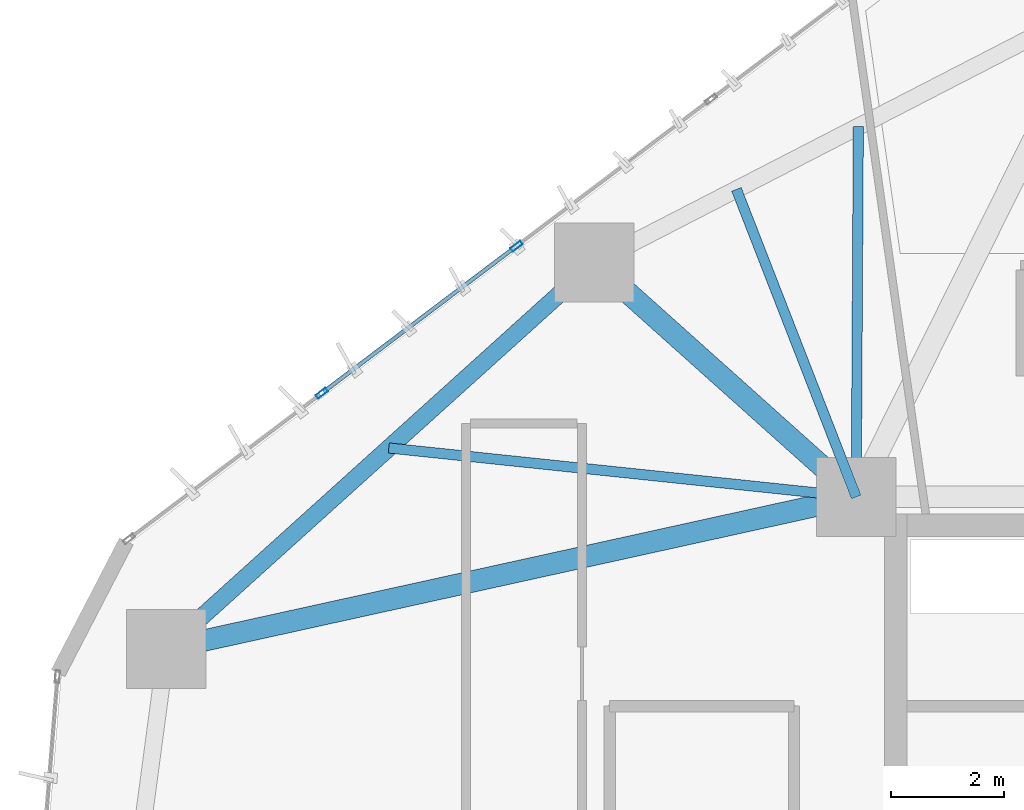
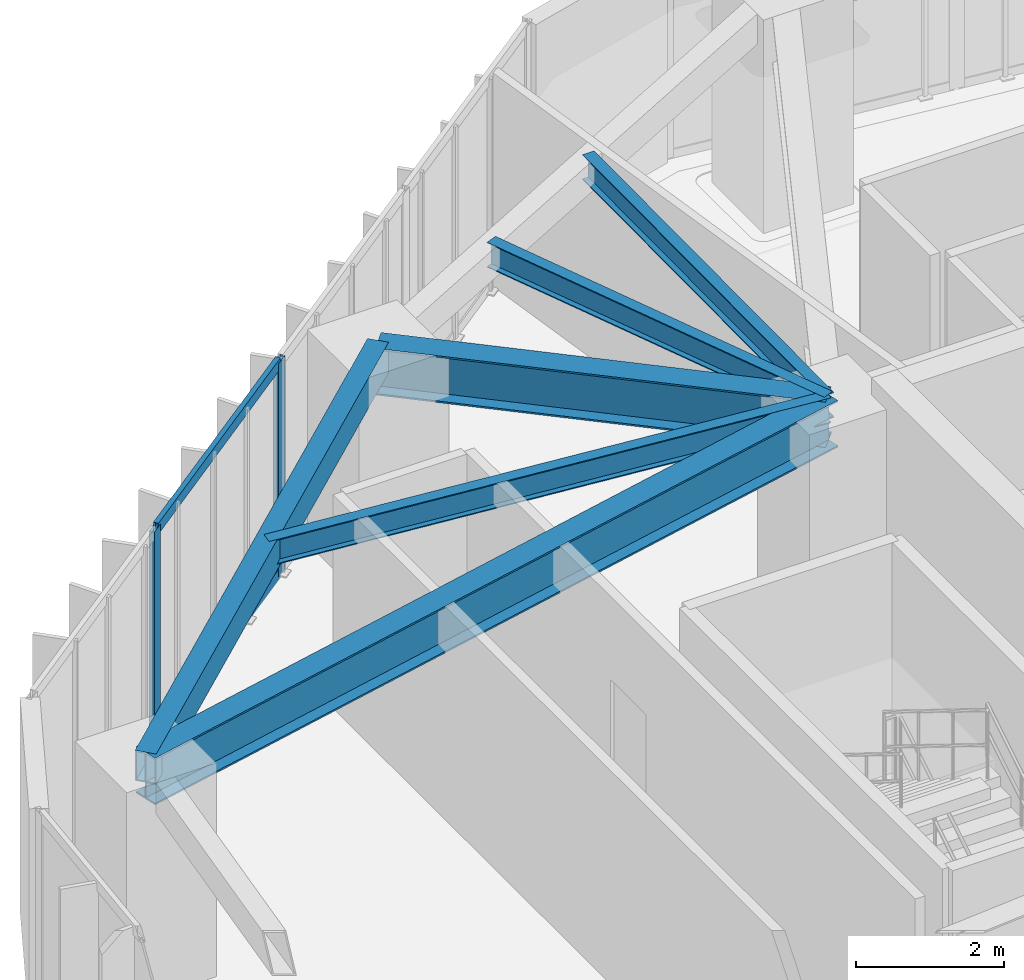
# One storey, part 7 of 23: 6 beams, 4 members, 1 element without a shape of its own.
"""IFC4 building model written with IfcOpenShell, lengths in metres."""

from ifc_helpers import new_model, si_unit, direction, frame, origin, origin_2d, place, context, subcontext, project, spatial, hollow_rectangle, i_section, extrude, source, transform, mapped, material, layer, layer_set, material_profile, profile_set, type_object, type_shapes, element, aggregate, save


model = new_model("IFC4")

# Units and contexts
model_context = context("Model", 3, precision=1e-05, world=origin(), true_north=direction((0.0, 1.0)))
body_context = subcontext(model_context, "Body", "Model", "MODEL_VIEW")
ifc_project = project(units=[si_unit("LENGTHUNIT", "METRE"), si_unit("AREAUNIT", "SQUARE_METRE"), si_unit("VOLUMEUNIT", "CUBIC_METRE"), si_unit("PLANEANGLEUNIT", "RADIAN"), si_unit("MASSUNIT", "GRAM", prefix="KILO")], contexts=[model_context])

# Site, building, storey
site_placement = place(None, origin())
site = spatial("IfcSite", under=ifc_project, at=site_placement, CompositionType="ELEMENT")
building_placement = place(site_placement, origin())
building = spatial("IfcBuilding", under=site, at=building_placement, Name="Talar Marvaseh", CompositionType="ELEMENT")
storey_placement = place(building_placement, frame((0.0, 0.0, 69.60009765625)))
storey = spatial("IfcBuildingStorey", under=building, at=storey_placement, Name="L17", CompositionType="ELEMENT", Elevation=69.60009765625)

# Beams
ifc_material_1 = material(Name="Steel S355", Category="steel")
ifc_material_profile_1 = material_profile(ifc_material_1, hollow_rectangle(XDim=0.300048828125, YDim=0.5, WallThickness=0.02001953125, at=origin_2d()), Name="RHS500x300x20")
ifc_profile_set_1 = profile_set([ifc_material_profile_1], Name="Steel S355")
beam_type_1 = type_object("IfcBeamType", Name="Zone 1 Perimeter Spandrel Beam RHS500x300x20", PredefinedType="SPANDREL", material=ifc_profile_set_1)
beam_1_placement = place(storey_placement, frame((6.501953125, 34.214111328125, 3.27001953125), z_axis=(0.742394279812, 0.669963232799, 0.0), x_axis=(-0.669963232799, 0.742394279812, 0.0)))
element("IfcBeam", 1, at=beam_1_placement, inside=storey, type_object=beam_type_1, Name="L17 Zone 1 Perimeter Spandrel Beam RHS500x300x20", PredefinedType="SPANDREL", context=body_context, shape_type="SweptSolid", body=[
    extrude(hollow_rectangle(XDim=0.300048828125, YDim=0.5, WallThickness=0.02001953125, at=origin_2d()), origin(), (0.0, 0.0, 1.0), 10.19287109375),
])
ifc_material_profile_2 = material_profile(ifc_material_1, i_section(OverallWidth=0.381103515625, OverallDepth=0.77294921875, WebThickness=0.0166015625, FlangeThickness=0.027099609375, at=origin_2d()), Name="W760x257")
ifc_profile_set_2 = profile_set([ifc_material_profile_2], Name="Steel S355")
beam_type_2 = type_object("IfcBeamType", Name="Zone 1 Radial Floor Girder W760x257", PredefinedType="BEAM", material=ifc_profile_set_2)
beam_2_placement = place(storey_placement, frame((6.501953125, 34.214111328125, 3.13330078125), z_axis=(0.976606962034, 0.215032187606, 0.0), x_axis=(-0.215032187606, 0.976606962034, 0.0)))
element("IfcBeam", 2, at=beam_2_placement, inside=storey, type_object=beam_type_2, Name="L17 Zone 1 Radial Floor Girder W760x257", PredefinedType="BEAM", context=body_context, shape_type="SweptSolid", body=[
    extrude(i_section(OverallWidth=0.381103515625, OverallDepth=0.77294921875, WebThickness=0.0166015625, FlangeThickness=0.027099609375, at=origin_2d()), origin(), (0.0, 0.0, 1.0), 12.490234375),
])
beam_3_placement = place(storey_placement, frame((14.069091796875, 41.04296875, 3.13330078125), z_axis=(0.745268030676, -0.666764997921, 0.0), x_axis=(0.666764997921, 0.745268030676, 0.0)))
element("IfcBeam", 3, at=beam_3_placement, inside=storey, type_object=beam_type_2, Name="L17 Zone 1 Radial Floor Girder W760x257", PredefinedType="BEAM", context=body_context, shape_type="SweptSolid", body=[
    extrude(i_section(OverallWidth=0.381103515625, OverallDepth=0.77294921875, WebThickness=0.0166015625, FlangeThickness=0.027099609375, at=origin_2d()), origin(), (0.0, 0.0, 1.0), 6.213623046875),
])
ifc_material_profile_3 = material_profile(ifc_material_1, i_section(OverallWidth=0.179931640625, OverallDepth=0.4130859375, WebThickness=0.009765625, FlangeThickness=0.01611328125, at=origin_2d()), Name="W410x75")
ifc_profile_set_3 = profile_set([ifc_material_profile_3], Name="Steel S355")
beam_type_3 = type_object("IfcBeamType", Name="Zone 1 Secondary Floor Joist W410x75", PredefinedType="JOIST", material=ifc_profile_set_3)
beam_4_placement = place(storey_placement, frame((10.436767578125, 37.76513671875, 3.3134765625), z_axis=(0.994562624593, -0.104140221638, 0.0), x_axis=(0.104140221638, 0.994562624593, 0.0)))
element("IfcBeam", 4, at=beam_4_placement, inside=storey, type_object=beam_type_3, Name="L17 Zone 1 Secondary Floor Joist W410x75", PredefinedType="JOIST", context=body_context, shape_type="SweptSolid", body=[
    extrude(i_section(OverallWidth=0.179931640625, OverallDepth=0.4130859375, WebThickness=0.009765625, FlangeThickness=0.01611328125, at=origin_2d()), origin(), (0.0, 0.0, 1.0), 8.308349609375),
])
beam_5_placement = place(storey_placement, frame((16.582763671875, 42.337646484375, 3.3134765625), z_axis=(0.362819746189, -0.931859341197, 0.0), x_axis=(0.931859341197, 0.362819746189, 0.0)))
element("IfcBeam", 5, at=beam_5_placement, inside=storey, type_object=beam_type_3, Name="L17 Zone 1 Secondary Floor Joist W410x75", PredefinedType="JOIST", context=body_context, shape_type="SweptSolid", body=[
    extrude(i_section(OverallWidth=0.179931640625, OverallDepth=0.4130859375, WebThickness=0.009765625, FlangeThickness=0.01611328125, at=origin_2d()), origin(), (0.0, 0.0, 1.0), 5.83544921875),
])
beam_6_placement = place(storey_placement, frame((18.737548828125, 43.447509765625, 3.3134765625), z_axis=(-0.00574210303, -0.999983513991, 0.0), x_axis=(0.999983513991, -0.00574210303, 0.0)))
element("IfcBeam", 6, at=beam_6_placement, inside=storey, type_object=beam_type_3, Name="L17 Zone 1 Secondary Floor Joist W410x75", PredefinedType="JOIST", context=body_context, shape_type="SweptSolid", body=[
    extrude(i_section(OverallWidth=0.179931640625, OverallDepth=0.4130859375, WebThickness=0.009765625, FlangeThickness=0.01611328125, at=origin_2d()), origin(), (0.0, 0.0, 1.0), 6.547607421875),
])

# Curtain wall, members
ifc_material_2 = material(Name="Architectural Aluminium", Category="aluminium")
ifc_layer = layer(ifc_material_2, 0.219970703125)
ifc_layer_set = layer_set([ifc_layer], Name="Architectural Aluminium")
curtain_wall_type = type_object("IfcCurtainWallType", Name="Unitised Low-E Museum Curtain Wall Z1", PredefinedType="NOTDEFINED", material=ifc_layer_set)
curtain_wall_placement = place(storey_placement, origin())
curtain_wall = element("IfcCurtainWall", 7, at=curtain_wall_placement, inside=storey, type_object=curtain_wall_type, Name="L17 Unitised Low-E Museum Curtain Wall Z1", PredefinedType="NOTDEFINED")
ifc_material_profile_4 = material_profile(ifc_material_2, hollow_rectangle(XDim=0.080078125, YDim=0.219970703125, WallThickness=0.0048828125, at=origin_2d()), Name="RHS220x80x5")
ifc_profile_set_4 = profile_set([ifc_material_profile_4], Name="Architectural Aluminium")
member_type_1 = type_object("IfcMemberType", Name="Unitised Curtain Wall Heavy Mullion RHS220x80x5", PredefinedType="MULLION", material=ifc_profile_set_4)
shared_shape_1 = source(origin(), body_context, "Body", "SweptSolid", [
    extrude(hollow_rectangle(XDim=0.080078125, YDim=0.219970703125, WallThickness=0.0048828125, at=origin_2d()), origin(), (0.0, 0.0, 1.0), 3.52001953125),
])
type_shapes(member_type_1, [shared_shape_1])
member_1_placement = place(storey_placement, frame((9.253173828125, 38.734130859375, 0.0), z_axis=(0.0, 0.0, 1.0), x_axis=(-0.602762713543, 0.797920491755, 0.0)))
member_1 = element("IfcMember", 8, at=member_1_placement, type_object=member_type_1, Name="CW-Z1 mullion 2", PredefinedType="MULLION", context=body_context, shape_type="MappedRepresentation", body=[
    mapped(shared_shape_1, transform((0.0, 0.0, 0.0), x_axis=(1.0, 0.0, 0.0), y_axis=(0.0, 1.0, 0.0), z_axis=(0.0, 0.0, 1.0), scale=1.0)),
])
member_2_placement = place(storey_placement, frame((12.69384765625, 41.3330078125, 0.0), z_axis=(0.0, 0.0, 1.0), x_axis=(-0.602762713543, 0.797920491755, 0.0)))
member_2 = element("IfcMember", 9, at=member_2_placement, type_object=member_type_1, Name="CW-Z1 mullion 3", PredefinedType="MULLION", context=body_context, shape_type="MappedRepresentation", body=[
    mapped(shared_shape_1, transform((0.0, 0.0, 0.0), x_axis=(1.0, 0.0, 0.0), y_axis=(0.0, 1.0, 0.0), z_axis=(0.0, 0.0, 1.0), scale=1.0)),
])
ifc_material_profile_5 = material_profile(ifc_material_2, hollow_rectangle(XDim=0.074951171875, YDim=0.179931640625, WallThickness=0.0048828125, at=origin_2d()), Name="RHS180x75x5")
ifc_profile_set_5 = profile_set([ifc_material_profile_5], Name="Architectural Aluminium")
member_type_2 = type_object("IfcMemberType", Name="Unitised Curtain Wall Transom RHS180x75x5", PredefinedType="USERDEFINED", material=ifc_profile_set_5)
shared_shape_2 = source(origin(), body_context, "Body", "SweptSolid", [
    extrude(hollow_rectangle(XDim=0.074951171875, YDim=0.179931640625, WallThickness=0.0048828125, at=origin_2d()), origin(), (0.0, 0.0, 1.0), 4.23193359375),
])
type_shapes(member_type_2, [shared_shape_2])
member_3_placement = place(storey_placement, frame((9.28515625, 38.758056640625, 0.037353515625), z_axis=(0.797897536687, 0.60279309962, 0.0), x_axis=(-0.60279309962, 0.797897536687, 0.0)))
member_3 = element("IfcMember", 10, at=member_3_placement, type_object=member_type_2, Name="CW-Z1 transom 2.1", ObjectType="TRANSOM", PredefinedType="USERDEFINED", context=body_context, shape_type="MappedRepresentation", body=[
    mapped(shared_shape_2, transform((0.0, 0.0, 0.0), x_axis=(1.0, 0.0, 0.0), y_axis=(0.0, 1.0, 0.0), z_axis=(0.0, 0.0, 1.0), scale=1.0)),
])
member_4_placement = place(storey_placement, frame((9.28515625, 38.758056640625, 3.482421875), z_axis=(0.797897536687, 0.60279309962, 0.0), x_axis=(-0.60279309962, 0.797897536687, 0.0)))
member_4 = element("IfcMember", 11, at=member_4_placement, type_object=member_type_2, Name="CW-Z1 transom 2.2", ObjectType="TRANSOM", PredefinedType="USERDEFINED", context=body_context, shape_type="MappedRepresentation", body=[
    mapped(shared_shape_2, transform((0.0, 0.0, 0.0), x_axis=(1.0, 0.0, 0.0), y_axis=(0.0, 1.0, 0.0), z_axis=(0.0, 0.0, 1.0), scale=1.0)),
])
aggregate(curtain_wall, [member_1, member_2, member_3, member_4])

save(model, "model.ifc")
